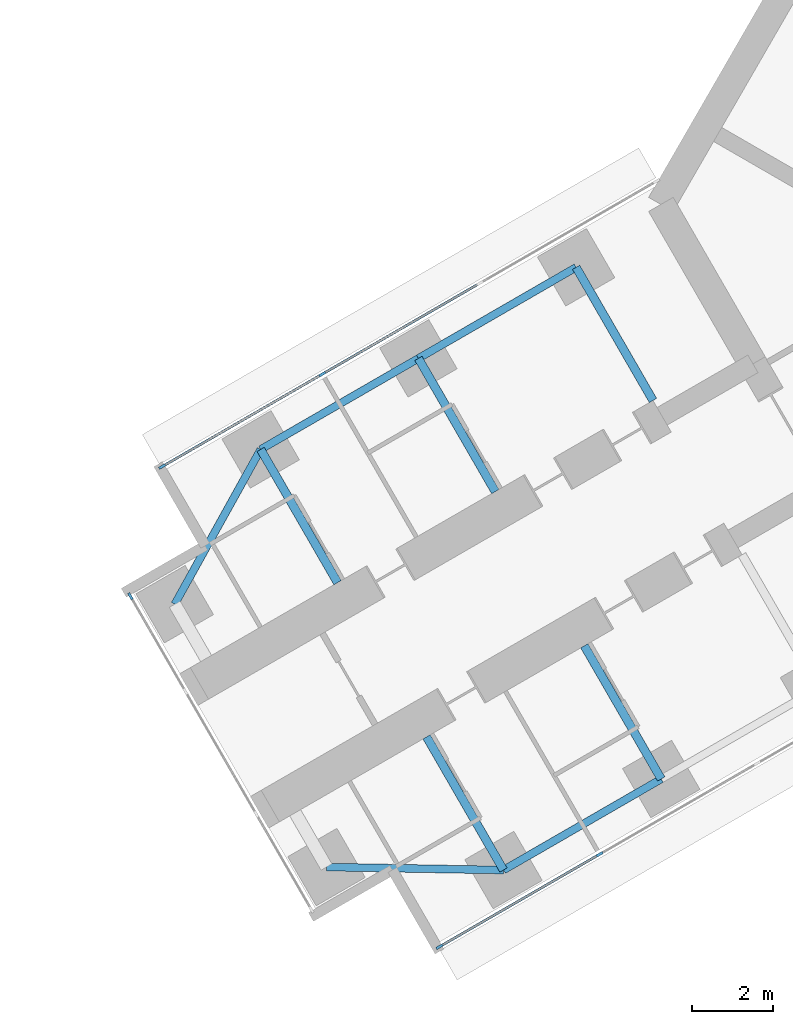
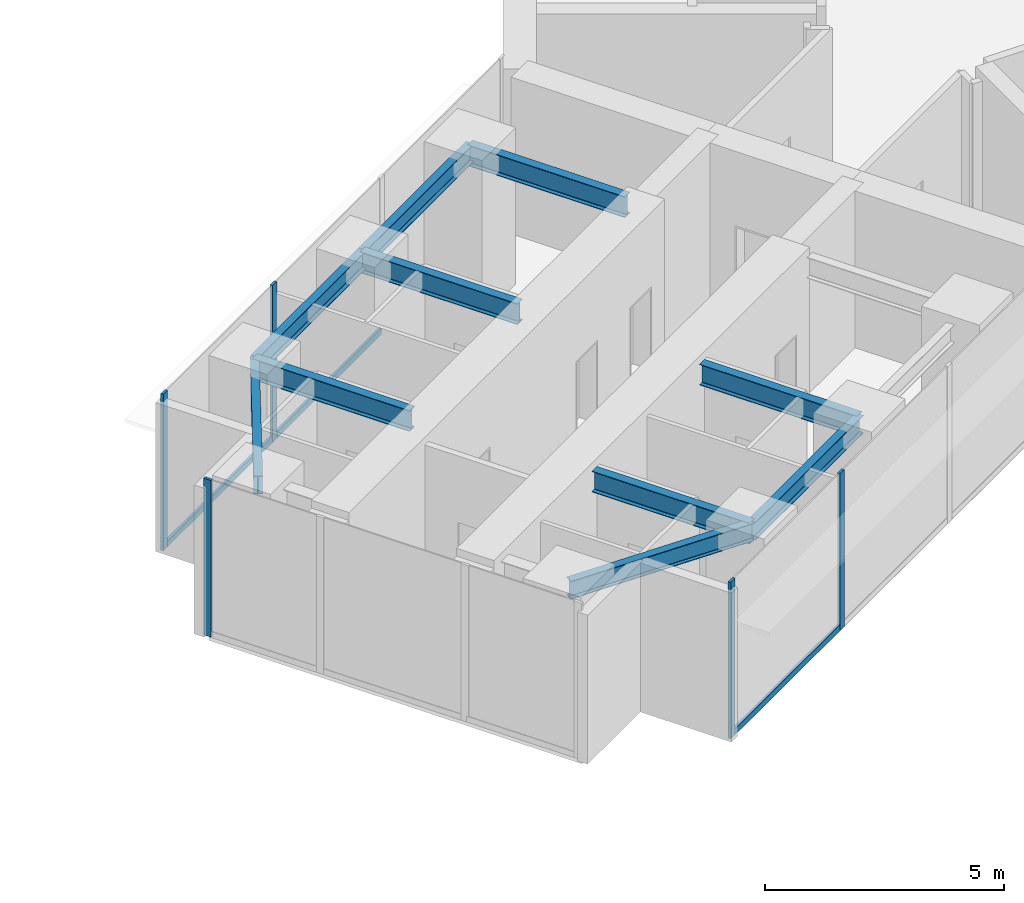
# One storey, part 4 of 25: 10 beams, 8 members, 3 elements without a shape of their own.
"""IFC4 building model written with IfcOpenShell, lengths in metres."""

from ifc_helpers import new_model, si_unit, direction, frame, origin, origin_2d, place, context, subcontext, project, spatial, rectangle, i_section, extrude, material, material_profile, profile_set, type_object, element, aggregate, save


model = new_model("IFC4")

# Units and contexts
model_context = context("Model", 3, precision=1e-05, world=origin(), true_north=direction((0.0, 1.0)))
body_context = subcontext(model_context, "Body", "Model", "MODEL_VIEW")
ifc_project = project(units=[si_unit("LENGTHUNIT", "METRE"), si_unit("AREAUNIT", "SQUARE_METRE"), si_unit("VOLUMEUNIT", "CUBIC_METRE"), si_unit("PLANEANGLEUNIT", "RADIAN"), si_unit("MASSUNIT", "GRAM", prefix="KILO")], contexts=[model_context])

# Site, building, storey
site_placement = place(None, origin())
site = spatial("IfcSite", under=ifc_project, at=site_placement, CompositionType="ELEMENT")
building_placement = place(site_placement, origin())
building = spatial("IfcBuilding", under=site, at=building_placement, Name="Upepo Twin Towers", CompositionType="ELEMENT")
storey_placement = place(building_placement, frame((0.0, 0.0, 76.5)))
storey = spatial("IfcBuildingStorey", under=building, at=storey_placement, Name="L18", CompositionType="ELEMENT", Elevation=76.5)

# Beams
ifc_material_1 = material(Name="Steel S355", Category="steel")
ifc_material_profile_1 = material_profile(ifc_material_1, i_section(OverallWidth=0.1904296875, OverallDepth=0.45703125, WebThickness=0.009033203125, FlangeThickness=0.014404296875, FilletRadius=0.01025390625, at=origin_2d()), Name="UB 457x191x74")
ifc_profile_set_1 = profile_set([ifc_material_profile_1], Name="Steel S355")
beam_type_1 = type_object("IfcBeamType", Name="Beam UB 457x191x74", PredefinedType="BEAM", material=ifc_profile_set_1)
beam_1_placement = place(storey_placement, frame((45.91162109375, -32.196044921875, 3.571533203125), z_axis=(-0.866031096941, -0.499990139034, 0.0), x_axis=(0.499990139034, -0.866031096941, 0.0)))
element("IfcBeam", 1, at=beam_1_placement, inside=storey, type_object=beam_type_1, Name="T2 edge beam BL 18.0-22.5", PredefinedType="BEAM", context=body_context, shape_type="SweptSolid", body=[
    extrude(i_section(OverallWidth=0.1904296875, OverallDepth=0.45703125, WebThickness=0.009033203125, FlangeThickness=0.014404296875, FilletRadius=0.01025390625, at=origin_2d()), origin(), (0.0, 0.0, 1.0), 4.5),
])
beam_2_placement = place(storey_placement, frame((42.014404296875, -34.446044921875, 3.571533203125), z_axis=(-0.999858804832, 0.016803880528, 0.0), x_axis=(-0.016803880528, -0.999858804832, 0.0)))
element("IfcBeam", 2, at=beam_2_placement, inside=storey, type_object=beam_type_1, Name="T2 nose edge beam BL", PredefinedType="BEAM", context=body_context, shape_type="SweptSolid", body=[
    extrude(i_section(OverallWidth=0.1904296875, OverallDepth=0.45703125, WebThickness=0.009033203125, FlangeThickness=0.014404296875, FilletRadius=0.01025390625, at=origin_2d()), origin(), (0.0, 0.0, 1.0), 4.373291015625),
])
beam_3_placement = place(storey_placement, frame((43.80859375, -19.553955078125, 3.571533203125), z_axis=(-0.866017533419, -0.500013631625, 0.0), x_axis=(0.500013631625, -0.866017533419, 0.0)))
element("IfcBeam", 3, at=beam_3_placement, inside=storey, type_object=beam_type_1, Name="T2 edge beam BR 13.5-18.0", PredefinedType="BEAM", context=body_context, shape_type="SweptSolid", body=[
    extrude(i_section(OverallWidth=0.1904296875, OverallDepth=0.45703125, WebThickness=0.009033203125, FlangeThickness=0.014404296875, FilletRadius=0.01025390625, at=origin_2d()), origin(), (0.0, 0.0, 1.0), 4.499755859375),
])
beam_4_placement = place(storey_placement, frame((39.91162109375, -21.803955078125, 3.571533203125), z_axis=(-0.866031096941, -0.499990139034, 0.0), x_axis=(0.499990139034, -0.866031096941, 0.0)))
element("IfcBeam", 4, at=beam_4_placement, inside=storey, type_object=beam_type_1, Name="T2 edge beam BR 18.0-22.5", PredefinedType="BEAM", context=body_context, shape_type="SweptSolid", body=[
    extrude(i_section(OverallWidth=0.1904296875, OverallDepth=0.45703125, WebThickness=0.009033203125, FlangeThickness=0.014404296875, FilletRadius=0.01025390625, at=origin_2d()), origin(), (0.0, 0.0, 1.0), 4.5),
])
beam_5_placement = place(storey_placement, frame((36.014404296875, -24.053955078125, 3.571533203125), z_axis=(-0.485363242752, -0.874312600038, 0.0), x_axis=(0.874312600038, -0.485363242752, 0.0)))
element("IfcBeam", 5, at=beam_5_placement, inside=storey, type_object=beam_type_1, Name="T2 nose edge beam BR", PredefinedType="BEAM", context=body_context, shape_type="SweptSolid", body=[
    extrude(i_section(OverallWidth=0.1904296875, OverallDepth=0.45703125, WebThickness=0.009033203125, FlangeThickness=0.014404296875, FilletRadius=0.01025390625, at=origin_2d()), origin(), (0.0, 0.0, 1.0), 4.373046875),
])
ifc_material_2 = material(Name="Steel S355", Category="steel")
ifc_material_profile_2 = material_profile(ifc_material_2, i_section(OverallWidth=0.209228515625, OverallDepth=0.533203125, WebThickness=0.010009765625, FlangeThickness=0.015625, FilletRadius=0.0126953125, at=origin_2d()), Name="UB 533x210x92")
ifc_profile_set_2 = profile_set([ifc_material_profile_2], Name="Steel S355")
beam_type_2 = type_object("IfcBeamType", Name="Beam UB 533x210x92", PredefinedType="BEAM", material=ifc_profile_set_2)
beam_6_placement = place(storey_placement, frame((45.91162109375, -32.196044921875, 3.533447265625), z_axis=(-0.500043160704, 0.866000483506, 0.0), x_axis=(-0.866000483506, -0.500043160704, 0.0)))
element("IfcBeam", 6, at=beam_6_placement, inside=storey, type_object=beam_type_2, Name="T2 girder BL at 18.0", PredefinedType="BEAM", context=body_context, shape_type="SweptSolid", body=[
    extrude(i_section(OverallWidth=0.209228515625, OverallDepth=0.533203125, WebThickness=0.010009765625, FlangeThickness=0.015625, FilletRadius=0.0126953125, at=origin_2d()), origin(), (0.0, 0.0, 1.0), 3.800048828125),
])
beam_7_placement = place(storey_placement, frame((42.014404296875, -34.446044921875, 3.533447265625), z_axis=(-0.499994975061, 0.866028304915, 0.0), x_axis=(-0.866028304915, -0.499994975061, 0.0)))
element("IfcBeam", 7, at=beam_7_placement, inside=storey, type_object=beam_type_2, Name="T2 girder BL at 22.5", PredefinedType="BEAM", context=body_context, shape_type="SweptSolid", body=[
    extrude(i_section(OverallWidth=0.209228515625, OverallDepth=0.533203125, WebThickness=0.010009765625, FlangeThickness=0.015625, FilletRadius=0.0126953125, at=origin_2d()), origin(), (0.0, 0.0, 1.0), 3.7998046875),
])
beam_8_placement = place(storey_placement, frame((43.80859375, -19.553955078125, 3.533447265625), z_axis=(0.500043160704, -0.866000483506, 0.0), x_axis=(0.866000483506, 0.500043160704, 0.0)))
element("IfcBeam", 8, at=beam_8_placement, inside=storey, type_object=beam_type_2, Name="T2 girder BR at 13.5", PredefinedType="BEAM", context=body_context, shape_type="SweptSolid", body=[
    extrude(i_section(OverallWidth=0.209228515625, OverallDepth=0.533203125, WebThickness=0.010009765625, FlangeThickness=0.015625, FilletRadius=0.0126953125, at=origin_2d()), origin(), (0.0, 0.0, 1.0), 3.800048828125),
])
for number, where, z_axis, x_axis, name in (
    (9, (39.91162109375, -21.803955078125, 3.533447265625), (0.499994975061, -0.866028304915, 0.0), (0.866028304915, 0.499994975061, 0.0), "T2 girder BR at 18.0"),
    (10, (36.014404296875, -24.053955078125, 3.533447265625), (0.499994975061, -0.866028304915, 0.0), (0.866028304915, 0.499994975061, 0.0), "T2 girder BR at 22.5"),
):
    element("IfcBeam", number, at=place(storey_placement, frame(where, z_axis=z_axis, x_axis=x_axis)), inside=storey, type_object=beam_type_2, Name=name, PredefinedType="BEAM", context=body_context, shape_type="SweptSolid", body=[
        extrude(i_section(OverallWidth=0.209228515625, OverallDepth=0.533203125, WebThickness=0.010009765625, FlangeThickness=0.015625, FilletRadius=0.0126953125, at=origin_2d()), origin(), (0.0, 0.0, 1.0), 3.7998046875),
    ])

# Curtain wall, members
ifc_material_3 = material(Name="Aluminium and fritted glass", Category="aluminium")
curtain_wall_type = type_object("IfcCurtainWallType", Name="Tower curtain wall TW1, fritted glass", PredefinedType="NOTDEFINED", material=ifc_material_3)
curtain_wall_1_placement = place(storey_placement, origin())
curtain_wall_1 = element("IfcCurtainWall", 11, at=curtain_wall_1_placement, inside=storey, type_object=curtain_wall_type, Name="T2 L18 wing B flank L curtain wall", PredefinedType="NOTDEFINED")
ifc_material_4 = material(Name="Aluminium mullion", Category="aluminium")
ifc_material_profile_3 = material_profile(ifc_material_4, rectangle(XDim=0.06494140625, YDim=0.179931640625, at=origin_2d()), Name="MULLION 65x180")
ifc_profile_set_3 = profile_set([ifc_material_profile_3], Name="Aluminium mullion")
member_type_1 = type_object("IfcMemberType", Name="Mullion 65x180 TW1", PredefinedType="MULLION", material=ifc_profile_set_3)
member_1_placement = place(storey_placement, frame((44.387939453125, -34.057373046875, 0.0), z_axis=(0.0, 0.0, 1.0), x_axis=(0.500000024426, -0.866025389682, 0.0)))
member_1 = element("IfcMember", 12, at=member_1_placement, type_object=member_type_1, Name="T2 L18 wing B flank L curtain wall mullion 3", PredefinedType="MULLION", context=body_context, shape_type="SweptSolid", body=[
    extrude(rectangle(XDim=0.06494140625, YDim=0.179931640625, at=origin_2d()), origin(), (0.0, 0.0, 1.0), 4.0),
])
member_2_placement = place(storey_placement, frame((40.432373046875, -36.341064453125, 0.0), z_axis=(0.0, 0.0, 1.0), x_axis=(0.500000024426, -0.866025389682, 0.0)))
member_2 = element("IfcMember", 13, at=member_2_placement, type_object=member_type_1, Name="T2 L18 wing B flank L curtain wall mullion 4", PredefinedType="MULLION", context=body_context, shape_type="SweptSolid", body=[
    extrude(rectangle(XDim=0.06494140625, YDim=0.179931640625, at=origin_2d()), origin(), (0.0, 0.0, 1.0), 4.0),
])

curtain_wall_2_placement = place(storey_placement, origin())
curtain_wall_2 = element("IfcCurtainWall", 14, at=curtain_wall_2_placement, inside=storey, type_object=curtain_wall_type, Name="T2 L18 wing B flank R curtain wall", PredefinedType="NOTDEFINED")
member_3_placement = place(storey_placement, frame((33.58251953125, -24.4765625, 0.0), z_axis=(0.0, 0.0, 1.0), x_axis=(-0.500000024426, 0.866025389682, 0.0)))
member_3 = element("IfcMember", 15, at=member_3_placement, type_object=member_type_1, Name="T2 L18 wing B flank R curtain wall mullion 1", PredefinedType="MULLION", context=body_context, shape_type="SweptSolid", body=[
    extrude(rectangle(XDim=0.06494140625, YDim=0.179931640625, at=origin_2d()), origin(), (0.0, 0.0, 1.0), 4.0),
])
member_4_placement = place(storey_placement, frame((37.5380859375, -22.192626953125, 0.0), z_axis=(0.0, 0.0, 1.0), x_axis=(-0.500000024426, 0.866025389682, 0.0)))
member_4 = element("IfcMember", 16, at=member_4_placement, type_object=member_type_1, Name="T2 L18 wing B flank R curtain wall mullion 2", PredefinedType="MULLION", context=body_context, shape_type="SweptSolid", body=[
    extrude(rectangle(XDim=0.06494140625, YDim=0.179931640625, at=origin_2d()), origin(), (0.0, 0.0, 1.0), 4.0),
])

# Curtain wall, member
curtain_wall_3_placement = place(storey_placement, origin())
curtain_wall_3 = element("IfcCurtainWall", 17, at=curtain_wall_3_placement, inside=storey, type_object=curtain_wall_type, Name="T2 L18 wing B nose curtain wall", PredefinedType="NOTDEFINED")
member_5_placement = place(storey_placement, frame((32.796875, -27.68115234375, 0.0), z_axis=(0.0, 0.0, 1.0), x_axis=(0.866025386174, 0.500000030502, 0.0)))
member_5 = element("IfcMember", 18, at=member_5_placement, type_object=member_type_1, Name="T2 L18 wing B nose curtain wall mullion 1", PredefinedType="MULLION", context=body_context, shape_type="SweptSolid", body=[
    extrude(rectangle(XDim=0.06494140625, YDim=0.179931640625, at=origin_2d()), origin(), (0.0, 0.0, 1.0), 4.0),
])
aggregate(curtain_wall_3, [member_5])

# Member
ifc_material_5 = material(Name="Aluminium transom", Category="aluminium")
ifc_material_profile_4 = material_profile(ifc_material_5, rectangle(XDim=0.06494140625, YDim=0.14990234375, at=origin_2d()), Name="TRANSOM 65x150")
ifc_profile_set_4 = profile_set([ifc_material_profile_4], Name="Aluminium transom")
member_type_2 = type_object("IfcMemberType", Name="Transom 65x150 TW1", PredefinedType="USERDEFINED", material=ifc_profile_set_4)
member_6_placement = place(storey_placement, frame((44.35986328125, -34.073486328125, 0.074951171875), z_axis=(-0.866035699072, -0.499982167615, 0.0), x_axis=(0.499982167615, -0.866035699072, 0.0)))
member_6 = element("IfcMember", 19, at=member_6_placement, type_object=member_type_2, Name="T2 L18 wing B flank L curtain wall transom 3", ObjectType="TRANSOM", PredefinedType="USERDEFINED", context=body_context, shape_type="SweptSolid", body=[
    extrude(rectangle(XDim=0.06494140625, YDim=0.14990234375, at=origin_2d()), origin(), (0.0, 0.0, 1.0), 4.502685546875),
])

aggregate(curtain_wall_1, [member_1, member_2, member_6])

member_7_placement = place(storey_placement, frame((33.610595703125, -24.460205078125, 0.074951171875), z_axis=(0.866022143554, 0.500005646842, 0.0), x_axis=(-0.500005646842, 0.866022143554, 0.0)))
member_7 = element("IfcMember", 20, at=member_7_placement, type_object=member_type_2, Name="T2 L18 wing B flank R curtain wall transom 1", ObjectType="TRANSOM", PredefinedType="USERDEFINED", context=body_context, shape_type="SweptSolid", body=[
    extrude(rectangle(XDim=0.06494140625, YDim=0.14990234375, at=origin_2d()), origin(), (0.0, 0.0, 1.0), 4.50244140625),
])

member_8_placement = place(storey_placement, frame((37.566162109375, -22.176513671875, 0.074951171875), z_axis=(0.866022410713, 0.500005184116, 0.0), x_axis=(-0.500005184116, 0.866022410713, 0.0)))
member_8 = element("IfcMember", 21, at=member_8_placement, type_object=member_type_2, Name="T2 L18 wing B flank R curtain wall transom 2", ObjectType="TRANSOM", PredefinedType="USERDEFINED", context=body_context, shape_type="SweptSolid", body=[
    extrude(rectangle(XDim=0.06494140625, YDim=0.14990234375, at=origin_2d()), origin(), (0.0, 0.0, 1.0), 4.43505859375),
])

aggregate(curtain_wall_2, [member_3, member_4, member_7, member_8])

save(model, "model.ifc")
